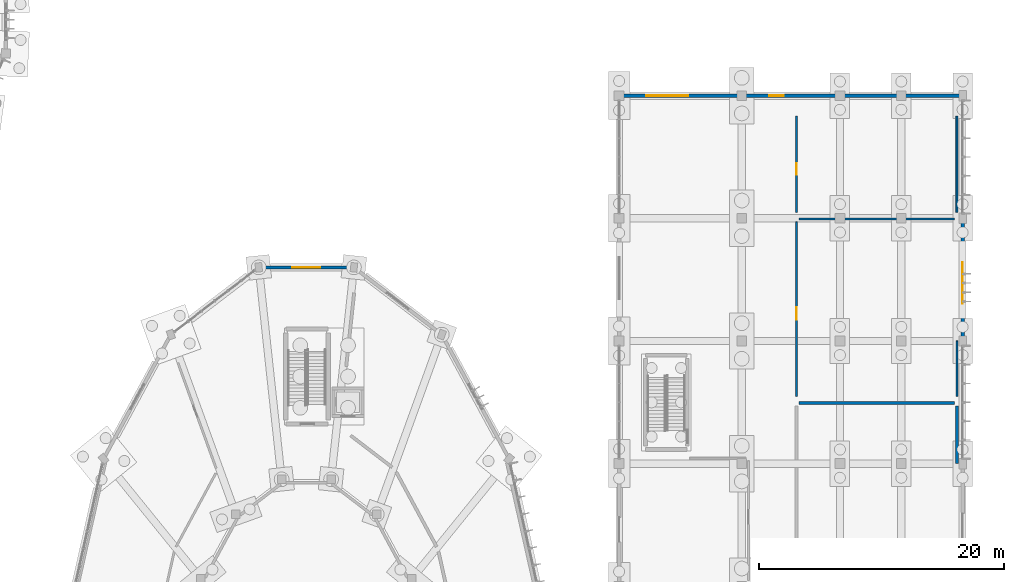
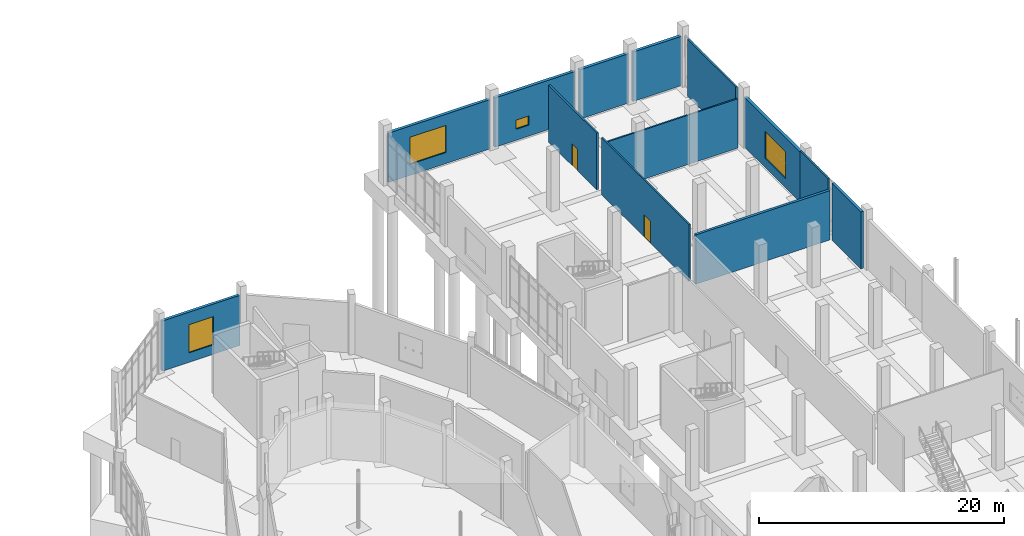
# One storey, part 93 of 140: 13 walls, 4 windows, 2 doors, 6 openings.
"""IFC4 building model written with IfcOpenShell, lengths in metres."""

from ifc_helpers import new_model, si_unit, direction, frame, frame_2d, origin, place, context, subcontext, project, spatial, rectangle, extrude, material, layer, layer_set, type_object, element, fill, save


model = new_model("IFC4")

# Units and contexts
model_context = context("Model", 3, precision=1e-05, world=origin(), true_north=direction((0.0, 1.0)))
body_context = subcontext(model_context, "Body", "Model", "MODEL_VIEW")
ifc_project = project(units=[si_unit("LENGTHUNIT", "METRE"), si_unit("AREAUNIT", "SQUARE_METRE"), si_unit("VOLUMEUNIT", "CUBIC_METRE"), si_unit("PLANEANGLEUNIT", "RADIAN"), si_unit("MASSUNIT", "GRAM", prefix="KILO")], contexts=[model_context])

# Site, building, storey
site_placement = place(None, origin())
site = spatial("IfcSite", under=ifc_project, at=site_placement, CompositionType="ELEMENT")
building_placement = place(site_placement, origin())
building = spatial("IfcBuilding", under=site, at=building_placement, Name="Corvandel Quay Wholesale Market", CompositionType="ELEMENT")
storey_placement = place(building_placement, origin())
storey = spatial("IfcBuildingStorey", under=building, at=storey_placement, Name="L00", CompositionType="ELEMENT", Elevation=0.0)

# Wall, opening, window
ifc_material_1 = material(Name="Buff-pigmented precast concrete C45/55", Category="concrete")
ifc_layer_1 = layer(ifc_material_1, 0.280029296875)
ifc_layer_set_1 = layer_set([ifc_layer_1], Name="Buff-pigmented precast concrete C45/55")
wall_type_1 = type_object("IfcWallType", Name="Colonnade Spandrel Precast Wall EW07 280", PredefinedType="SOLIDWALL", material=ifc_layer_set_1)
wall_1_placement = place(storey_placement, frame((248.0, 90.219970703125, 0.0), z_axis=(0.0, 0.0, 1.0), x_axis=(0.0, 1.0, 0.0)))
wall_1 = element("IfcWall", 1, at=wall_1_placement, inside=storey, type_object=wall_type_1, Name="Exterior Wall EW-0339", PredefinedType="SOLIDWALL", context=body_context, shape_type="SweptSolid", body=[
    extrude(rectangle(XDim=9.56005859375, YDim=0.280029296875, at=frame_2d((4.780029296875, 0.0))), origin(), (0.0, 0.0, 1.0), 4.9599609375),
])
opening_1_placement = place(wall_1_placement, frame((2.800048828125, 0.0, 0.89990234375)))
opening_1 = element("IfcOpeningElement", 2, at=opening_1_placement, cuts=wall_1, Name="Opening L00-W079", PredefinedType="OPENING", context=body_context, shape_type="SweptSolid", body=[
    extrude(rectangle(XDim=3.39990234375, YDim=2.699951171875, at=frame_2d((1.699951171875, 1.35009765625))), frame((0.0, 0.14990234375, 0.0), z_axis=(0.0, -1.0, 0.0), x_axis=(1.0, 0.0, 0.0)), (0.0, 0.0, 1.0), 0.300048828125),
])
ifc_material_2 = material(Name="Thermally broken bronze anodised aluminium and solar-control low-E double glazing", Category="aluminium")
window_type_1 = type_object("IfcWindowType", Name="Waterfront Cafe Picture Window WN17 3400x2700", PartitioningType="SINGLE_PANEL", PredefinedType="WINDOW", material=ifc_material_2)
window_1_placement = place(opening_1_placement, origin())
window_1 = element("IfcWindow", 3, at=window_1_placement, inside=storey, type_object=window_type_1, Name="Window L00-W079", OverallHeight=2.699951171875, OverallWidth=3.39990234375, PartitioningType="SINGLE_PANEL", PredefinedType="WINDOW", context=body_context, shape_type="SweptSolid", body=[
    extrude(rectangle(XDim=3.39990234375, YDim=2.699951171875, at=frame_2d((1.699951171875, 1.35009765625))), frame((0.0, 0.030029296875, 0.0), z_axis=(0.0, -1.0, 0.0), x_axis=(1.0, 0.0, 0.0)), (0.0, 0.0, 1.0), 0.06005859375),
])
fill(opening_1, window_1)

wall_2_placement = place(storey_placement, frame((220.219970703125, 110.0, 0.0), z_axis=(0.0, 0.0, 1.0), x_axis=(1.0, 0.0, 0.0)))
wall_2 = element("IfcWall", 4, at=wall_2_placement, inside=storey, type_object=wall_type_1, Name="Exterior Wall EW-0342", PredefinedType="SOLIDWALL", context=body_context, shape_type="SweptSolid", body=[
    extrude(rectangle(XDim=9.56005859375, YDim=0.280029296875, at=frame_2d((4.780029296875, 0.0))), origin(), (0.0, 0.0, 1.0), 4.909912109375),
])
opening_2_placement = place(wall_2_placement, frame((2.0, 0.0, 1.10009765625)))
opening_2 = element("IfcOpeningElement", 5, at=opening_2_placement, cuts=wall_2, Name="Opening L00-W082", PredefinedType="OPENING", context=body_context, shape_type="SweptSolid", body=[
    extrude(rectangle(XDim=3.39990234375, YDim=2.699951171875, at=frame_2d((1.699951171875, 1.35009765625))), frame((0.0, 0.14990234375, 0.0), z_axis=(0.0, -1.0, 0.0), x_axis=(1.0, 0.0, 0.0)), (0.0, 0.0, 1.0), 0.300048828125),
])
window_2_placement = place(opening_2_placement, origin())
window_2 = element("IfcWindow", 6, at=window_2_placement, inside=storey, type_object=window_type_1, Name="Window L00-W082", OverallHeight=2.699951171875, OverallWidth=3.39990234375, PartitioningType="SINGLE_PANEL", PredefinedType="WINDOW", context=body_context, shape_type="SweptSolid", body=[
    extrude(rectangle(XDim=3.39990234375, YDim=2.699951171875, at=frame_2d((1.699951171875, 1.35009765625))), frame((0.0, 0.030029296875, 0.0), z_axis=(0.0, -1.0, 0.0), x_axis=(1.0, 0.0, 0.0)), (0.0, 0.0, 1.0), 0.06005859375),
])
fill(opening_2, window_2)

wall_3_placement = place(storey_placement, frame((230.219970703125, 110.0, 0.0), z_axis=(0.0, 0.0, 1.0), x_axis=(1.0, 0.0, 0.0)))
wall_3 = element("IfcWall", 7, at=wall_3_placement, inside=storey, type_object=wall_type_1, Name="Exterior Wall EW-0344", PredefinedType="SOLIDWALL", context=body_context, shape_type="SweptSolid", body=[
    extrude(rectangle(XDim=7.56005859375, YDim=0.280029296875, at=frame_2d((3.780029296875, 0.0))), origin(), (0.0, 0.0, 1.0), 4.909912109375),
])
opening_3_placement = place(wall_3_placement, frame((2.0, 0.0, 1.10009765625)))
opening_3 = element("IfcOpeningElement", 8, at=opening_3_placement, cuts=wall_3, Name="Opening L00-W083", PredefinedType="OPENING", context=body_context, shape_type="SweptSolid", body=[
    extrude(rectangle(XDim=1.199951171875, YDim=0.89990234375, at=frame_2d((0.60009765625, 0.449951171875))), frame((0.0, 0.14990234375, 0.0), z_axis=(0.0, -1.0, 0.0), x_axis=(1.0, 0.0, 0.0)), (0.0, 0.0, 1.0), 0.300048828125),
])
window_type_2 = type_object("IfcWindowType", Name="Restroom Frosted Clerestory WN22 1200x900", PartitioningType="SINGLE_PANEL", PredefinedType="WINDOW", material=ifc_material_2)
window_3_placement = place(opening_3_placement, origin())
window_3 = element("IfcWindow", 9, at=window_3_placement, inside=storey, type_object=window_type_2, Name="Window L00-W083", OverallHeight=0.89990234375, OverallWidth=1.199951171875, PartitioningType="SINGLE_PANEL", PredefinedType="WINDOW", context=body_context, shape_type="SweptSolid", body=[
    extrude(rectangle(XDim=1.199951171875, YDim=0.89990234375, at=frame_2d((0.60009765625, 0.449951171875))), frame((0.0, 0.030029296875, 0.0), z_axis=(0.0, -1.0, 0.0), x_axis=(1.0, 0.0, 0.0)), (0.0, 0.0, 1.0), 0.06005859375),
])
fill(opening_3, window_3)

# Walls
for number, where, z_axis, x_axis, name in (
    (10, (238.219970703125, 110.0, 0.0), (0.0, 0.0, 1.0), (1.0, 0.0, 0.0), "Exterior Wall EW-0346"),
    (11, (243.219970703125, 110.0, 0.0), (0.0, 0.0, 1.0), (1.0, 0.0, 0.0), "Exterior Wall EW-0348"),
):
    element("IfcWall", number, at=place(storey_placement, frame(where, z_axis=z_axis, x_axis=x_axis)), inside=storey, type_object=wall_type_1, Name=name, PredefinedType="SOLIDWALL", context=body_context, shape_type="SweptSolid", body=[
        extrude(rectangle(XDim=4.56005859375, YDim=0.280029296875, at=frame_2d((2.280029296875, 0.0))), origin(), (0.0, 0.0, 1.0), 4.909912109375),
    ])
ifc_material_3 = material(Name="Lightweight concrete blockwork", Category="masonry")
ifc_layer_2 = layer(ifc_material_3, 0.239990234375)
ifc_layer_set_2 = layer_set([ifc_layer_2], Name="Lightweight concrete blockwork")
wall_type_2 = type_object("IfcWallType", Name="Fire Compartment Partition PT01 240", PredefinedType="PARTITIONING", material=ifc_layer_set_2)
wall_4_placement = place(storey_placement, frame((234.679931640625, 84.93994140625, 0.0), z_axis=(0.0, 0.0, 1.0), x_axis=(1.0, 0.0, 0.0)))
element("IfcWall", 12, at=wall_4_placement, inside=storey, type_object=wall_type_2, Name="Interior Wall IW-0857", PredefinedType="PARTITIONING", context=body_context, shape_type="SweptSolid", body=[
    extrude(rectangle(XDim=12.64013671875, YDim=0.239990234375, at=frame_2d((6.320068359375, 0.0))), origin(), (0.0, 0.0, 1.0), 4.909912109375),
])
wall_5_placement = place(storey_placement, frame((247.5400390625, 84.719970703125, 0.0), z_axis=(0.0, 0.0, 1.0), x_axis=(0.0, -1.0, 0.0)))
element("IfcWall", 13, at=wall_5_placement, inside=storey, type_object=wall_type_2, Name="Interior Wall IW-0858", PredefinedType="PARTITIONING", context=body_context, shape_type="SweptSolid", body=[
    extrude(rectangle(XDim=4.719970703125, YDim=0.239990234375, at=frame_2d((2.35986328125, 0.0))), origin(), (0.0, 0.0, 1.0), 5.659912109375),
])

# Wall, opening, door
ifc_material_4 = material(Name="Double-layer acoustic gypsum stud partition")
ifc_layer_3 = layer(ifc_material_4, 0.139892578125)
ifc_layer_set_3 = layer_set([ifc_layer_3], Name="Double-layer acoustic gypsum stud partition")
wall_type_3 = type_object("IfcWallType", Name="Office Acoustic Partition PT07 140", PredefinedType="PARTITIONING", material=ifc_layer_set_3)
wall_6_placement = place(storey_placement, frame((234.4599609375, 85.47998046875, 0.0), z_axis=(0.0, 0.0, 1.0), x_axis=(0.0, 1.0, 0.0)))
wall_6 = element("IfcWall", 14, at=wall_6_placement, inside=storey, type_object=wall_type_3, Name="Interior Wall IW-0860", PredefinedType="PARTITIONING", context=body_context, shape_type="SweptSolid", body=[
    extrude(rectangle(XDim=14.239990234375, YDim=0.139892578125, at=frame_2d((7.1201171875, 0.0))), origin(), (0.0, 0.0, 1.0), 5.659912109375),
])
opening_4_placement = place(wall_6_placement, frame((6.27001953125, 0.0, 0.0)))
opening_4 = element("IfcOpeningElement", 15, at=opening_4_placement, cuts=wall_6, Name="Opening L00-D125", PredefinedType="OPENING", context=body_context, shape_type="SweptSolid", body=[
    extrude(rectangle(XDim=1.0, YDim=2.199951171875, at=frame_2d((0.5, 1.10009765625))), frame((0.0, 0.079833984375, 0.0), z_axis=(0.0, -1.0, 0.0), x_axis=(1.0, 0.0, 0.0)), (0.0, 0.0, 1.0), 0.159912109375),
])
ifc_material_5 = material(Name="Stained oak solid-core acoustic timber", Category="wood")
door_type_1 = type_object("IfcDoorType", Name="Office Entry Door ID10 1000x2200R", OperationType="SINGLE_SWING_RIGHT", PredefinedType="DOOR", material=ifc_material_5)
door_1_placement = place(opening_4_placement, origin())
door_1 = element("IfcDoor", 16, at=door_1_placement, inside=storey, type_object=door_type_1, Name="Market Cycle Hub and Locker Room Door", OperationType="SINGLE_SWING_RIGHT", OverallHeight=2.199951171875, OverallWidth=1.0, PredefinedType="DOOR", context=body_context, shape_type="SweptSolid", body=[
    extrude(rectangle(XDim=1.0, YDim=2.199951171875, at=frame_2d((0.5, 1.10009765625))), frame((0.0, 0.02490234375, 0.0), z_axis=(0.0, -1.0, 0.0), x_axis=(1.0, 0.0, 0.0)), (0.0, 0.0, 1.0), 0.050048828125),
])
fill(opening_4, door_1)

# Walls
wall_7_placement = place(storey_placement, frame((234.679931640625, 99.93994140625, 0.0), z_axis=(0.0, 0.0, 1.0), x_axis=(1.0, 0.0, 0.0)))
element("IfcWall", 17, at=wall_7_placement, inside=storey, type_object=wall_type_3, Name="Interior Wall IW-0861", PredefinedType="PARTITIONING", context=body_context, shape_type="SweptSolid", body=[
    extrude(rectangle(XDim=12.64013671875, YDim=0.139892578125, at=frame_2d((6.320068359375, 0.0))), origin(), (0.0, 0.0, 1.0), 4.909912109375),
])
wall_8_placement = place(storey_placement, frame((247.5400390625, 90.0, 0.0), z_axis=(0.0, 0.0, 1.0), x_axis=(0.0, -1.0, 0.0)))
element("IfcWall", 18, at=wall_8_placement, inside=storey, type_object=wall_type_3, Name="Interior Wall IW-0862", PredefinedType="PARTITIONING", context=body_context, shape_type="SweptSolid", body=[
    extrude(rectangle(XDim=4.52001953125, YDim=0.139892578125, at=frame_2d((2.260009765625, 0.0))), origin(), (0.0, 0.0, 1.0), 5.659912109375),
])

# Wall, opening, window
ifc_material_6 = material(Name="Terracotta precast concrete C45/55", Category="masonry")
ifc_layer_4 = layer(ifc_material_6, 0.260009765625)
ifc_layer_set_4 = layer_set([ifc_layer_4], Name="Terracotta precast concrete C45/55")
wall_type_4 = type_object("IfcWallType", Name="Pavilion Pilaster Infill Wall EW08 260", PredefinedType="SOLIDWALL", material=ifc_layer_set_4)
wall_9_placement = place(storey_placement, frame((198.158935546875, 96.0, 0.0), z_axis=(0.0, 0.0, 1.0), x_axis=(-1.0, 0.0, 0.0)))
wall_9 = element("IfcWall", 19, at=wall_9_placement, inside=storey, type_object=wall_type_4, Name="Exterior Wall EW-0167", PredefinedType="SOLIDWALL", context=body_context, shape_type="SweptSolid", body=[
    extrude(rectangle(XDim=7.31787109375, YDim=0.260009765625, at=frame_2d((3.658935546875, 0.0))), origin(), (0.0, 0.0, 1.0), 4.989990234375),
])
opening_5_placement = place(wall_9_placement, frame((2.509033203125, 0.0, 0.949951171875)))
opening_5 = element("IfcOpeningElement", 20, at=opening_5_placement, cuts=wall_9, Name="Opening L00-W068", PredefinedType="OPENING", context=body_context, shape_type="SweptSolid", body=[
    extrude(rectangle(XDim=2.300048828125, YDim=2.800048828125, at=frame_2d((1.14990234375, 1.39990234375))), frame((0.0, 0.139892578125, 0.0), z_axis=(0.0, -1.0, 0.0), x_axis=(1.0, 0.0, 0.0)), (0.0, 0.0, 1.0), 0.280029296875),
])
window_type_3 = type_object("IfcWindowType", Name="Auction Hall Tall Facet Window WN11 2300x2800", PartitioningType="SINGLE_PANEL", PredefinedType="WINDOW", material=ifc_material_2)
window_4_placement = place(opening_5_placement, origin())
window_4 = element("IfcWindow", 21, at=window_4_placement, inside=storey, type_object=window_type_3, Name="Window L00-W068", OverallHeight=2.800048828125, OverallWidth=2.300048828125, PartitioningType="SINGLE_PANEL", PredefinedType="WINDOW", context=body_context, shape_type="SweptSolid", body=[
    extrude(rectangle(XDim=2.300048828125, YDim=2.800048828125, at=frame_2d((1.14990234375, 1.39990234375))), frame((0.0, 0.030029296875, 0.0), z_axis=(0.0, -1.0, 0.0), x_axis=(1.0, 0.0, 0.0)), (0.0, 0.0, 1.0), 0.06005859375),
])
fill(opening_5, window_4)

# Wall, opening, door
ifc_material_7 = material(Name="Moisture-resistant tile-backer partition")
ifc_layer_5 = layer(ifc_material_7, 0.159912109375)
ifc_layer_set_5 = layer_set([ifc_layer_5], Name="Moisture-resistant tile-backer partition")
wall_type_5 = type_object("IfcWallType", Name="Sanitary Tile Partition PT06 160", PredefinedType="PARTITIONING", material=ifc_layer_set_5)
wall_10_placement = place(storey_placement, frame((234.4599609375, 100.47998046875, 0.0), z_axis=(0.0, 0.0, 1.0), x_axis=(0.0, 1.0, 0.0)))
wall_10 = element("IfcWall", 22, at=wall_10_placement, inside=storey, type_object=wall_type_5, Name="Interior Wall IW-0863", PredefinedType="PARTITIONING", context=body_context, shape_type="SweptSolid", body=[
    extrude(rectangle(XDim=7.85009765625, YDim=0.159912109375, at=frame_2d((3.925048828125, 0.0))), origin(), (0.0, 0.0, 1.0), 5.659912109375),
])
opening_6_placement = place(wall_10_placement, frame((3.074951171875, 0.0, 0.0)))
opening_6 = element("IfcOpeningElement", 23, at=opening_6_placement, cuts=wall_10, Name="Opening L00-D126", PredefinedType="OPENING", context=body_context, shape_type="SweptSolid", body=[
    extrude(rectangle(XDim=0.949951171875, YDim=2.14990234375, at=frame_2d((0.47509765625, 1.074951171875))), frame((0.0, 0.08984375, 0.0), z_axis=(0.0, -1.0, 0.0), x_axis=(1.0, 0.0, 0.0)), (0.0, 0.0, 1.0), 0.179931640625),
])
ifc_material_8 = material(Name="Moisture-resistant HPL solid core")
door_type_2 = type_object("IfcDoorType", Name="Accessible Restroom Door ID13 950x2150L", OperationType="SINGLE_SWING_LEFT", PredefinedType="DOOR", material=ifc_material_8)
door_2_placement = place(opening_6_placement, origin())
door_2 = element("IfcDoor", 24, at=door_2_placement, inside=storey, type_object=door_type_2, Name="Public Accessible Toilet and Staff Showers Door", OperationType="SINGLE_SWING_LEFT", OverallHeight=2.14990234375, OverallWidth=0.949951171875, PredefinedType="DOOR", context=body_context, shape_type="SweptSolid", body=[
    extrude(rectangle(XDim=0.949951171875, YDim=2.14990234375, at=frame_2d((0.47509765625, 1.074951171875))), frame((0.0, 0.02490234375, 0.0), z_axis=(0.0, -1.0, 0.0), x_axis=(1.0, 0.0, 0.0)), (0.0, 0.0, 1.0), 0.050048828125),
])
fill(opening_6, door_2)

# Wall
wall_11_placement = place(storey_placement, frame((247.5400390625, 108.330078125, 0.0), z_axis=(0.0, 0.0, 1.0), x_axis=(0.0, -1.0, 0.0)))
element("IfcWall", 25, at=wall_11_placement, inside=storey, type_object=wall_type_5, Name="Interior Wall IW-0864", PredefinedType="PARTITIONING", context=body_context, shape_type="SweptSolid", body=[
    extrude(rectangle(XDim=7.85009765625, YDim=0.159912109375, at=frame_2d((3.925048828125, 0.0))), origin(), (0.0, 0.0, 1.0), 5.659912109375),
])

save(model, "model.ifc")
